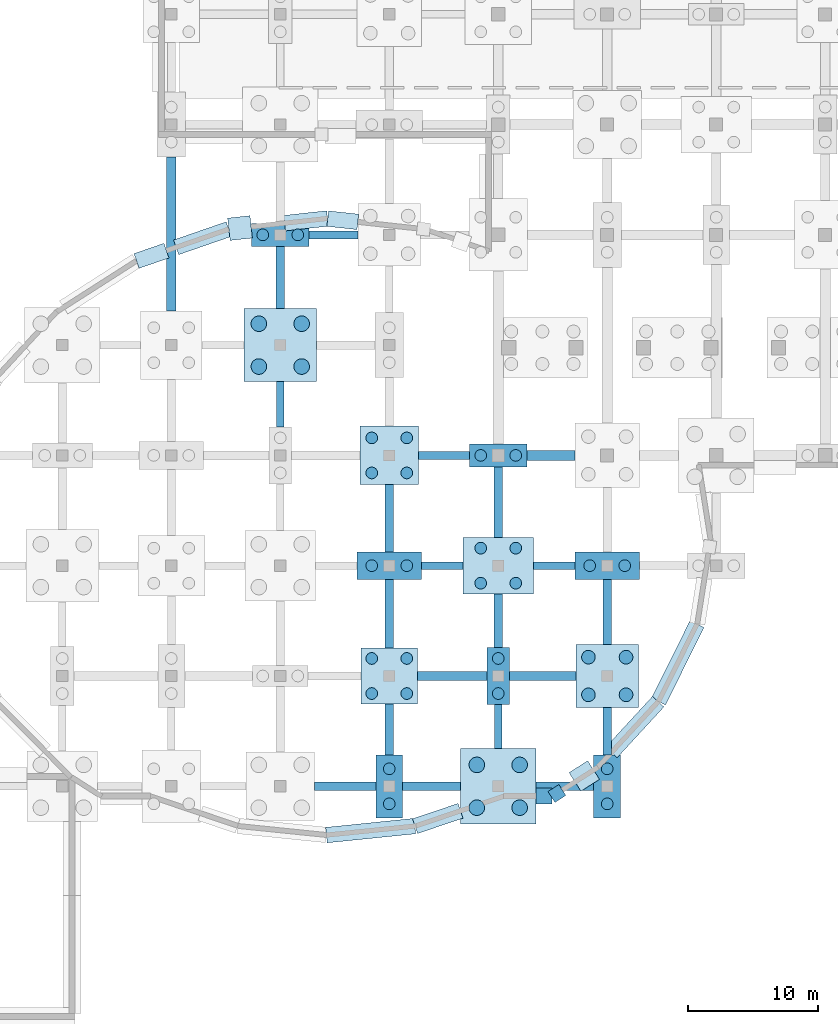
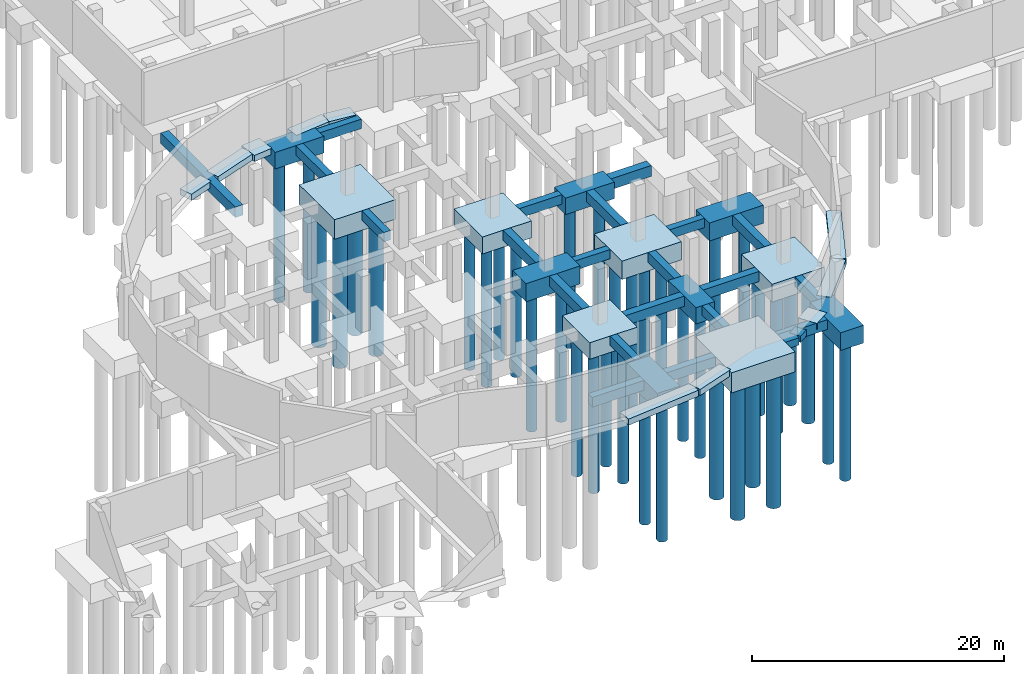
# One storey, part 3 of 34: 46 footings, 38 piles.
"""IFC4 building model written with IfcOpenShell, lengths in metres."""

from ifc_helpers import new_model, si_unit, direction, frame, origin, origin_2d, place, context, subcontext, project, spatial, rectangle, circle, extrude, material, material_profile, profile_set, type_object, element, save


model = new_model("IFC4")

# Units and contexts
model_context = context("Model", 3, precision=1e-05, world=origin(), true_north=direction((0.0, 1.0)))
body_context = subcontext(model_context, "Body", "Model", "MODEL_VIEW")
ifc_project = project(units=[si_unit("LENGTHUNIT", "METRE"), si_unit("AREAUNIT", "SQUARE_METRE"), si_unit("VOLUMEUNIT", "CUBIC_METRE"), si_unit("PLANEANGLEUNIT", "RADIAN"), si_unit("MASSUNIT", "GRAM", prefix="KILO")], contexts=[model_context])

# Site, building, storey
site_placement = place(None, origin())
site = spatial("IfcSite", under=ifc_project, at=site_placement, CompositionType="ELEMENT")
building_placement = place(site_placement, origin())
building = spatial("IfcBuilding", under=site, at=building_placement, Name="Solvento Point Concert Hall", CompositionType="ELEMENT")
storey_placement = place(building_placement, frame((0.0, 0.0, -5.39990234375)))
storey = spatial("IfcBuildingStorey", under=building, at=storey_placement, Name="B01", CompositionType="ELEMENT", Elevation=-5.39990234375)

# Piles
ifc_material_1 = material(Name="Concrete C40/50", Category="concrete")
ifc_material_profile_1 = material_profile(ifc_material_1, circle(Radius=0.52490234375, at=origin_2d()), Name="BP-1050")
ifc_profile_set_1 = profile_set([ifc_material_profile_1], Name="Concrete C40/50")
pile_type_1 = type_object("IfcPileType", Name="BoredPile_1050", PredefinedType="BORED", material=ifc_profile_set_1)
for number, where, z_axis, x_axis, name in (
    (1, (81.35009765625, 24.050048828125, -1.6201171875), (0.0, 0.0, -1.0), (1.0, 0.0, 0.0), "Bored pile BoredPile_1050 #301"),
    (2, (84.25, 24.050048828125, -1.6201171875), (0.0, 0.0, -1.0), (1.0, 0.0, 0.0), "Bored pile BoredPile_1050 #302"),
    (3, (81.35009765625, 26.949951171875, -1.6201171875), (0.0, 0.0, -1.0), (1.0, 0.0, 0.0), "Bored pile BoredPile_1050 #303"),
    (4, (84.25, 26.949951171875, -1.6201171875), (0.0, 0.0, -1.0), (1.0, 0.0, 0.0), "Bored pile BoredPile_1050 #304"),
):
    element("IfcPile", number, at=place(storey_placement, frame(where, z_axis=z_axis, x_axis=x_axis)), inside=storey, type_object=pile_type_1, Name=name, PredefinedType="BORED", context=body_context, shape_type="SweptSolid", body=[
        extrude(circle(Radius=0.52490234375, at=origin_2d()), origin(), (0.0, 0.0, 1.0), 13.47998046875),
    ])
ifc_material_2 = material(Name="Concrete C40/50", Category="concrete")
ifc_material_profile_2 = material_profile(ifc_material_2, circle(Radius=0.60009765625, at=origin_2d()), Name="BP-1200")
ifc_profile_set_2 = profile_set([ifc_material_profile_2], Name="Concrete C40/50")
pile_type_2 = type_object("IfcPileType", Name="BoredPile_1200", PredefinedType="BORED", material=ifc_profile_set_2)
for number, where, z_axis, x_axis, name in (
    (5, (55.949951171875, 49.35009765625, -1.800048828125), (0.0, 0.0, -1.0), (1.0, 0.0, 0.0), "Bored pile BoredPile_1200 #181"),
    (6, (59.25, 49.35009765625, -1.800048828125), (0.0, 0.0, -1.0), (1.0, 0.0, 0.0), "Bored pile BoredPile_1200 #182"),
    (7, (55.949951171875, 52.64990234375, -1.800048828125), (0.0, 0.0, -1.0), (1.0, 0.0, 0.0), "Bored pile BoredPile_1200 #183"),
    (8, (59.25, 52.64990234375, -1.800048828125), (0.0, 0.0, -1.0), (1.0, 0.0, 0.0), "Bored pile BoredPile_1200 #184"),
):
    element("IfcPile", number, at=place(storey_placement, frame(where, z_axis=z_axis, x_axis=x_axis)), inside=storey, type_object=pile_type_2, Name=name, PredefinedType="BORED", context=body_context, shape_type="SweptSolid", body=[
        extrude(circle(Radius=0.60009765625, at=origin_2d()), origin(), (0.0, 0.0, 1.0), 13.300048828125),
    ])
for number, where, z_axis, x_axis, name in (
    (9, (72.75, 15.35009765625, -1.85009765625), (0.0, 0.0, -1.0), (1.0, 0.0, 0.0), "Bored pile BoredPile_1200 #259"),
    (10, (76.050048828125, 15.35009765625, -1.85009765625), (0.0, 0.0, -1.0), (1.0, 0.0, 0.0), "Bored pile BoredPile_1200 #260"),
    (11, (72.75, 18.64990234375, -1.85009765625), (0.0, 0.0, -1.0), (1.0, 0.0, 0.0), "Bored pile BoredPile_1200 #261"),
    (12, (76.050048828125, 18.64990234375, -1.85009765625), (0.0, 0.0, -1.0), (1.0, 0.0, 0.0), "Bored pile BoredPile_1200 #262"),
):
    element("IfcPile", number, at=place(storey_placement, frame(where, z_axis=z_axis, x_axis=x_axis)), inside=storey, type_object=pile_type_2, Name=name, PredefinedType="BORED", context=body_context, shape_type="SweptSolid", body=[
        extrude(circle(Radius=0.60009765625, at=origin_2d()), origin(), (0.0, 0.0, 1.0), 13.25),
    ])
ifc_material_3 = material(Name="Concrete C40/50", Category="concrete")
ifc_material_profile_3 = material_profile(ifc_material_3, circle(Radius=0.449951171875, at=origin_2d()), Name="BP-900")
ifc_profile_set_3 = profile_set([ifc_material_profile_3], Name="Concrete C40/50")
pile_type_3 = type_object("IfcPileType", Name="BoredPile_900", PredefinedType="BORED", material=ifc_profile_set_3)
for number, where, z_axis, x_axis, name in (
    (13, (56.25, 59.5, -1.5), (0.0, 0.0, -1.0), (1.0, 0.0, 0.0), "Bored pile BoredPile_900 #185"),
    (14, (58.949951171875, 59.5, -1.5), (0.0, 0.0, -1.0), (1.0, 0.0, 0.0), "Bored pile BoredPile_900 #186"),
):
    element("IfcPile", number, at=place(storey_placement, frame(where, z_axis=z_axis, x_axis=x_axis)), inside=storey, type_object=pile_type_3, Name=name, PredefinedType="BORED", context=body_context, shape_type="SweptSolid", body=[
        extrude(circle(Radius=0.449951171875, at=origin_2d()), origin(), (0.0, 0.0, 1.0), 13.60009765625),
    ])
for number, where, z_axis, x_axis, name in (
    (15, (66.0, 15.64990234375, -1.6201171875), (0.0, 0.0, -1.0), (1.0, 0.0, 0.0), "Bored pile BoredPile_900 #215"),
    (16, (66.0, 18.35009765625, -1.6201171875), (0.0, 0.0, -1.0), (1.0, 0.0, 0.0), "Bored pile BoredPile_900 #216"),
):
    element("IfcPile", number, at=place(storey_placement, frame(where, z_axis=z_axis, x_axis=x_axis)), inside=storey, type_object=pile_type_3, Name=name, PredefinedType="BORED", context=body_context, shape_type="SweptSolid", body=[
        extrude(circle(Radius=0.449951171875, at=origin_2d()), origin(), (0.0, 0.0, 1.0), 13.47998046875),
    ])
for number, where, z_axis, x_axis, name in (
    (17, (64.64990234375, 24.14990234375, -1.5), (0.0, 0.0, -1.0), (1.0, 0.0, 0.0), "Bored pile BoredPile_900 #217"),
    (18, (67.35009765625, 24.14990234375, -1.5), (0.0, 0.0, -1.0), (1.0, 0.0, 0.0), "Bored pile BoredPile_900 #218"),
    (19, (64.64990234375, 26.85009765625, -1.5), (0.0, 0.0, -1.0), (1.0, 0.0, 0.0), "Bored pile BoredPile_900 #219"),
    (20, (67.35009765625, 26.85009765625, -1.5), (0.0, 0.0, -1.0), (1.0, 0.0, 0.0), "Bored pile BoredPile_900 #220"),
):
    element("IfcPile", number, at=place(storey_placement, frame(where, z_axis=z_axis, x_axis=x_axis)), inside=storey, type_object=pile_type_3, Name=name, PredefinedType="BORED", context=body_context, shape_type="SweptSolid", body=[
        extrude(circle(Radius=0.449951171875, at=origin_2d()), origin(), (0.0, 0.0, 1.0), 13.60009765625),
    ])
for number, where, z_axis, x_axis, name in (
    (21, (64.64990234375, 34.0, -1.650146484375), (0.0, 0.0, -1.0), (1.0, 0.0, 0.0), "Bored pile BoredPile_900 #221"),
    (22, (67.35009765625, 34.0, -1.650146484375), (0.0, 0.0, -1.0), (1.0, 0.0, 0.0), "Bored pile BoredPile_900 #222"),
):
    element("IfcPile", number, at=place(storey_placement, frame(where, z_axis=z_axis, x_axis=x_axis)), inside=storey, type_object=pile_type_3, Name=name, PredefinedType="BORED", context=body_context, shape_type="SweptSolid", body=[
        extrude(circle(Radius=0.449951171875, at=origin_2d()), origin(), (0.0, 0.0, 1.0), 13.449951171875),
    ])
for number, where, z_axis, x_axis, name in (
    (23, (64.64990234375, 41.14990234375, -1.550048828125), (0.0, 0.0, -1.0), (1.0, 0.0, 0.0), "Bored pile BoredPile_900 #223"),
    (24, (67.35009765625, 41.14990234375, -1.550048828125), (0.0, 0.0, -1.0), (1.0, 0.0, 0.0), "Bored pile BoredPile_900 #224"),
    (25, (64.64990234375, 43.85009765625, -1.550048828125), (0.0, 0.0, -1.0), (1.0, 0.0, 0.0), "Bored pile BoredPile_900 #225"),
    (26, (67.35009765625, 43.85009765625, -1.550048828125), (0.0, 0.0, -1.0), (1.0, 0.0, 0.0), "Bored pile BoredPile_900 #226"),
):
    element("IfcPile", number, at=place(storey_placement, frame(where, z_axis=z_axis, x_axis=x_axis)), inside=storey, type_object=pile_type_3, Name=name, PredefinedType="BORED", context=body_context, shape_type="SweptSolid", body=[
        extrude(circle(Radius=0.449951171875, at=origin_2d()), origin(), (0.0, 0.0, 1.0), 13.550048828125),
    ])
for number, where, z_axis, x_axis, name in (
    (27, (74.39990234375, 24.14990234375, -1.47998046875), (0.0, 0.0, -1.0), (1.0, 0.0, 0.0), "Bored pile BoredPile_900 #263"),
    (28, (74.39990234375, 26.85009765625, -1.47998046875), (0.0, 0.0, -1.0), (1.0, 0.0, 0.0), "Bored pile BoredPile_900 #264"),
):
    element("IfcPile", number, at=place(storey_placement, frame(where, z_axis=z_axis, x_axis=x_axis)), inside=storey, type_object=pile_type_3, Name=name, PredefinedType="BORED", context=body_context, shape_type="SweptSolid", body=[
        extrude(circle(Radius=0.449951171875, at=origin_2d()), origin(), (0.0, 0.0, 1.0), 13.6201171875),
    ])
for number, where, z_axis, x_axis, name in (
    (29, (73.050048828125, 32.64990234375, -1.68017578125), (0.0, 0.0, -1.0), (1.0, 0.0, 0.0), "Bored pile BoredPile_900 #265"),
    (30, (75.75, 32.64990234375, -1.68017578125), (0.0, 0.0, -1.0), (1.0, 0.0, 0.0), "Bored pile BoredPile_900 #266"),
    (31, (73.050048828125, 35.35009765625, -1.68017578125), (0.0, 0.0, -1.0), (1.0, 0.0, 0.0), "Bored pile BoredPile_900 #267"),
    (32, (75.75, 35.35009765625, -1.68017578125), (0.0, 0.0, -1.0), (1.0, 0.0, 0.0), "Bored pile BoredPile_900 #268"),
):
    element("IfcPile", number, at=place(storey_placement, frame(where, z_axis=z_axis, x_axis=x_axis)), inside=storey, type_object=pile_type_3, Name=name, PredefinedType="BORED", context=body_context, shape_type="SweptSolid", body=[
        extrude(circle(Radius=0.449951171875, at=origin_2d()), origin(), (0.0, 0.0, 1.0), 13.419921875),
    ])
for number, where, z_axis, x_axis, name in (
    (33, (73.050048828125, 42.5, -1.5), (0.0, 0.0, -1.0), (1.0, 0.0, 0.0), "Bored pile BoredPile_900 #269"),
    (34, (75.75, 42.5, -1.5), (0.0, 0.0, -1.0), (1.0, 0.0, 0.0), "Bored pile BoredPile_900 #270"),
):
    element("IfcPile", number, at=place(storey_placement, frame(where, z_axis=z_axis, x_axis=x_axis)), inside=storey, type_object=pile_type_3, Name=name, PredefinedType="BORED", context=body_context, shape_type="SweptSolid", body=[
        extrude(circle(Radius=0.449951171875, at=origin_2d()), origin(), (0.0, 0.0, 1.0), 13.60009765625),
    ])
for number, where, z_axis, x_axis, name in (
    (35, (82.800048828125, 15.64990234375, -1.6201171875), (0.0, 0.0, -1.0), (1.0, 0.0, 0.0), "Bored pile BoredPile_900 #299"),
    (36, (82.800048828125, 18.35009765625, -1.6201171875), (0.0, 0.0, -1.0), (1.0, 0.0, 0.0), "Bored pile BoredPile_900 #300"),
):
    element("IfcPile", number, at=place(storey_placement, frame(where, z_axis=z_axis, x_axis=x_axis)), inside=storey, type_object=pile_type_3, Name=name, PredefinedType="BORED", context=body_context, shape_type="SweptSolid", body=[
        extrude(circle(Radius=0.449951171875, at=origin_2d()), origin(), (0.0, 0.0, 1.0), 13.47998046875),
    ])
for number, where, z_axis, x_axis, name in (
    (37, (81.449951171875, 34.0, -1.650146484375), (0.0, 0.0, -1.0), (1.0, 0.0, 0.0), "Bored pile BoredPile_900 #305"),
    (38, (84.14990234375, 34.0, -1.650146484375), (0.0, 0.0, -1.0), (1.0, 0.0, 0.0), "Bored pile BoredPile_900 #306"),
):
    element("IfcPile", number, at=place(storey_placement, frame(where, z_axis=z_axis, x_axis=x_axis)), inside=storey, type_object=pile_type_3, Name=name, PredefinedType="BORED", context=body_context, shape_type="SweptSolid", body=[
        extrude(circle(Radius=0.449951171875, at=origin_2d()), origin(), (0.0, 0.0, 1.0), 13.449951171875),
    ])

# Footings
ifc_material_4 = material(Name="Concrete C40/50", Category="concrete")
footing_type_1 = type_object("IfcFootingType", Name="PileCap_2B", PredefinedType="PILE_CAP", material=ifc_material_4)
footing_1_placement = place(storey_placement, frame((74.39990234375, 25.5, -1.580078125), z_axis=(0.0, 0.0, 1.0), x_axis=(1.0, 0.0, 0.0)))
element("IfcFooting", 39, at=footing_1_placement, inside=storey, type_object=footing_type_1, Name="Pile cap PC-2B at G-10-D", PredefinedType="PILE_CAP", context=body_context, shape_type="SweptSolid", body=[
    extrude(rectangle(XDim=1.719970703125, YDim=4.3798828125, at=origin_2d()), origin(), (0.0, 0.0, 1.0), 1.580078125),
])
ifc_material_5 = material(Name="Concrete C40/50", Category="concrete")
footing_type_2 = type_object("IfcFootingType", Name="PileCap_2C", PredefinedType="PILE_CAP", material=ifc_material_5)
for number, where, z_axis, x_axis, name in (
    (40, (57.60009765625, 59.5, -1.60009765625), (0.0, 0.0, 1.0), (1.0, 0.0, 0.0), "Pile cap PC-2C at G-08-H"),
    (41, (74.39990234375, 42.5, -1.60009765625), (0.0, 0.0, 1.0), (1.0, 0.0, 0.0), "Pile cap PC-2C at G-10-F"),
):
    element("IfcFooting", number, at=place(storey_placement, frame(where, z_axis=z_axis, x_axis=x_axis)), inside=storey, type_object=footing_type_2, Name=name, PredefinedType="PILE_CAP", context=body_context, shape_type="SweptSolid", body=[
        extrude(rectangle(XDim=4.4599609375, YDim=1.780029296875, at=origin_2d()), origin(), (0.0, 0.0, 1.0), 1.60009765625),
    ])
ifc_material_6 = material(Name="Concrete C40/50", Category="concrete")
footing_type_3 = type_object("IfcFootingType", Name="PileCap_2H", PredefinedType="PILE_CAP", material=ifc_material_6)
for number, where, z_axis, x_axis, name in (
    (42, (66.0, 17.0, -1.72021484375), (0.0, 0.0, 1.0), (1.0, 0.0, 0.0), "Pile cap PC-2H at G-09-C"),
    (43, (82.800048828125, 17.0, -1.72021484375), (0.0, 0.0, 1.0), (1.0, 0.0, 0.0), "Pile cap PC-2H at G-11-C"),
):
    element("IfcFooting", number, at=place(storey_placement, frame(where, z_axis=z_axis, x_axis=x_axis)), inside=storey, type_object=footing_type_3, Name=name, PredefinedType="PILE_CAP", context=body_context, shape_type="SweptSolid", body=[
        extrude(rectangle(XDim=2.080078125, YDim=4.860107421875, at=origin_2d()), origin(), (0.0, 0.0, 1.0), 1.719970703125),
    ])
ifc_material_7 = material(Name="Concrete C40/50", Category="concrete")
footing_type_4 = type_object("IfcFootingType", Name="PileCap_2J", PredefinedType="PILE_CAP", material=ifc_material_7)
for number, where, z_axis, x_axis, name in (
    (44, (66.0, 34.0, -1.75), (0.0, 0.0, 1.0), (1.0, 0.0, 0.0), "Pile cap PC-2J at G-09-E"),
    (45, (82.800048828125, 34.0, -1.75), (0.0, 0.0, 1.0), (1.0, 0.0, 0.0), "Pile cap PC-2J at G-11-E"),
):
    element("IfcFooting", number, at=place(storey_placement, frame(where, z_axis=z_axis, x_axis=x_axis)), inside=storey, type_object=footing_type_4, Name=name, PredefinedType="PILE_CAP", context=body_context, shape_type="SweptSolid", body=[
        extrude(rectangle(XDim=4.93994140625, YDim=2.139892578125, at=origin_2d()), origin(), (0.0, 0.0, 1.0), 1.75),
    ])
ifc_material_8 = material(Name="Concrete C40/50", Category="concrete")
footing_type_5 = type_object("IfcFootingType", Name="PileCap_4A", PredefinedType="PILE_CAP", material=ifc_material_8)
footing_2_placement = place(storey_placement, frame((66.0, 25.5, -1.60009765625), z_axis=(0.0, 0.0, 1.0), x_axis=(1.0, 0.0, 0.0)))
element("IfcFooting", 46, at=footing_2_placement, inside=storey, type_object=footing_type_5, Name="Pile cap PC-4A at G-09-D", PredefinedType="PILE_CAP", context=body_context, shape_type="SweptSolid", body=[
    extrude(rectangle(XDim=4.35009765625, YDim=4.35009765625, at=origin_2d()), origin(), (0.0, 0.0, 1.0), 1.60009765625),
])
ifc_material_9 = material(Name="Concrete C40/50", Category="concrete")
footing_type_6 = type_object("IfcFootingType", Name="PileCap_4B", PredefinedType="PILE_CAP", material=ifc_material_9)
footing_3_placement = place(storey_placement, frame((66.0, 42.5, -1.650146484375), z_axis=(0.0, 0.0, 1.0), x_axis=(1.0, 0.0, 0.0)))
element("IfcFooting", 47, at=footing_3_placement, inside=storey, type_object=footing_type_6, Name="Pile cap PC-4B at G-09-F", PredefinedType="PILE_CAP", context=body_context, shape_type="SweptSolid", body=[
    extrude(rectangle(XDim=4.5, YDim=4.5, at=origin_2d()), origin(), (0.0, 0.0, 1.0), 1.64990234375),
])
ifc_material_10 = material(Name="Concrete C40/50", Category="concrete")
footing_type_7 = type_object("IfcFootingType", Name="PileCap_4C", PredefinedType="PILE_CAP", material=ifc_material_10)
footing_4_placement = place(storey_placement, frame((82.800048828125, 25.5, -1.72021484375), z_axis=(0.0, 0.0, 1.0), x_axis=(1.0, 0.0, 0.0)))
element("IfcFooting", 48, at=footing_4_placement, inside=storey, type_object=footing_type_7, Name="Pile cap PC-4C at G-11-D", PredefinedType="PILE_CAP", context=body_context, shape_type="SweptSolid", body=[
    extrude(rectangle(XDim=4.820068359375, YDim=4.820068359375, at=origin_2d()), origin(), (0.0, 0.0, 1.0), 1.719970703125),
])
ifc_material_11 = material(Name="Concrete C40/50", Category="concrete")
footing_type_8 = type_object("IfcFootingType", Name="PileCap_4G", PredefinedType="PILE_CAP", material=ifc_material_11)
footing_5_placement = place(storey_placement, frame((57.60009765625, 51.0, -1.900146484375), z_axis=(0.0, 0.0, 1.0), x_axis=(1.0, 0.0, 0.0)))
element("IfcFooting", 49, at=footing_5_placement, inside=storey, type_object=footing_type_8, Name="Pile cap PC-4G at G-08-G", PredefinedType="PILE_CAP", context=body_context, shape_type="SweptSolid", body=[
    extrude(rectangle(XDim=5.6201171875, YDim=5.6201171875, at=origin_2d()), origin(), (0.0, 0.0, 1.0), 1.89990234375),
])
ifc_material_12 = material(Name="Concrete C40/50", Category="concrete")
footing_type_9 = type_object("IfcFootingType", Name="PileCap_4H", PredefinedType="PILE_CAP", material=ifc_material_12)
footing_6_placement = place(storey_placement, frame((74.39990234375, 17.0, -1.9501953125), z_axis=(0.0, 0.0, 1.0), x_axis=(1.0, 0.0, 0.0)))
element("IfcFooting", 50, at=footing_6_placement, inside=storey, type_object=footing_type_9, Name="Pile cap PC-4H at G-10-C", PredefinedType="PILE_CAP", context=body_context, shape_type="SweptSolid", body=[
    extrude(rectangle(XDim=5.800048828125, YDim=5.800048828125, at=origin_2d()), origin(), (0.0, 0.0, 1.0), 1.949951171875),
])
ifc_material_13 = material(Name="Concrete C40/50", Category="concrete")
footing_type_10 = type_object("IfcFootingType", Name="PileCap_4J", PredefinedType="PILE_CAP", material=ifc_material_13)
footing_7_placement = place(storey_placement, frame((74.39990234375, 34.0, -1.7802734375), z_axis=(0.0, 0.0, 1.0), x_axis=(1.0, 0.0, 0.0)))
element("IfcFooting", 51, at=footing_7_placement, inside=storey, type_object=footing_type_10, Name="Pile cap PC-4J at G-10-E", PredefinedType="PILE_CAP", context=body_context, shape_type="SweptSolid", body=[
    extrude(rectangle(XDim=5.4599609375, YDim=4.360107421875, at=origin_2d()), origin(), (0.0, 0.0, 1.0), 1.780029296875),
])
ifc_material_14 = material(Name="Concrete C40/50", Category="concrete")
footing_type_11 = type_object("IfcFootingType", Name="StripFooting_1200x600", PredefinedType="STRIP_FOOTING", material=ifc_material_14)
footing_8_placement = place(storey_placement, frame((47.67626953125, 57.8857421875, -0.60009765625), z_axis=(0.0, 0.0, 1.0), x_axis=(0.94526656994, 0.326299113935, 0.0)))
element("IfcFooting", 52, at=footing_8_placement, inside=storey, type_object=footing_type_11, Name="Strip footing SF-01", PredefinedType="STRIP_FOOTING", context=body_context, shape_type="SweptSolid", body=[
    extrude(rectangle(XDim=2.44140625, YDim=1.199951171875, at=origin_2d()), origin(), (0.0, 0.0, 1.0), 0.60009765625),
])
footing_9_placement = place(storey_placement, frame((51.59619140625, 59.23876953125, -0.60009765625), z_axis=(0.0, 0.0, 1.0), x_axis=(0.94526656994, 0.326299113935, 0.0)))
element("IfcFooting", 53, at=footing_9_placement, inside=storey, type_object=footing_type_11, Name="Strip footing SF-01", PredefinedType="STRIP_FOOTING", context=body_context, shape_type="SweptSolid", body=[
    extrude(rectangle(XDim=4.28662109375, YDim=1.199951171875, at=origin_2d()), origin(), (0.0, 0.0, 1.0), 0.60009765625),
])
footing_10_placement = place(storey_placement, frame((54.497802734375, 60.024169921875, -0.60009765625), z_axis=(0.0, 0.0, 1.0), x_axis=(0.994036180305, 0.109050778282, 0.0)))
element("IfcFooting", 54, at=footing_10_placement, inside=storey, type_object=footing_type_11, Name="Strip footing SF-01", PredefinedType="STRIP_FOOTING", context=body_context, shape_type="SweptSolid", body=[
    extrude(rectangle(XDim=1.734619140625, YDim=1.734619140625, at=origin_2d()), origin(), (0.0, 0.0, 1.0), 0.60009765625),
])
footing_11_placement = place(storey_placement, frame((59.58984375, 60.5830078125, -0.60009765625), z_axis=(0.0, 0.0, 1.0), x_axis=(0.994036180305, 0.109050778282, 0.0)))
element("IfcFooting", 55, at=footing_11_placement, inside=storey, type_object=footing_type_11, Name="Strip footing SF-01", PredefinedType="STRIP_FOOTING", context=body_context, shape_type="SweptSolid", body=[
    extrude(rectangle(XDim=3.32958984375, YDim=1.199951171875, at=origin_2d()), origin(), (0.0, 0.0, 1.0), 0.60009765625),
])
footing_12_placement = place(storey_placement, frame((62.41796875, 60.6259765625, -0.60009765625), z_axis=(0.0, 0.0, 1.0), x_axis=(0.994036180305, -0.109050778282, 0.0)))
element("IfcFooting", 56, at=footing_12_placement, inside=storey, type_object=footing_type_11, Name="Strip footing SF-01", PredefinedType="STRIP_FOOTING", context=body_context, shape_type="SweptSolid", body=[
    extrude(rectangle(XDim=2.337890625, YDim=1.199951171875, at=origin_2d()), origin(), (0.0, 0.0, 1.0), 0.60009765625),
])
footing_13_placement = place(storey_placement, frame((88.235107421875, 26.515869140625, -0.60009765625), z_axis=(0.0, 0.0, 1.0), x_axis=(-0.445116614995, -0.895472612119, 0.0)))
element("IfcFooting", 57, at=footing_13_placement, inside=storey, type_object=footing_type_11, Name="Strip footing SF-01", PredefinedType="STRIP_FOOTING", context=body_context, shape_type="SweptSolid", body=[
    extrude(rectangle(XDim=6.6748046875, YDim=1.199951171875, at=origin_2d()), origin(), (0.0, 0.0, 1.0), 0.60009765625),
])
footing_14_placement = place(storey_placement, frame((84.925537109375, 21.564697265625, -0.60009765625), z_axis=(0.0, 0.0, 1.0), x_axis=(-0.677366586747, -0.735645639666, 0.0)))
element("IfcFooting", 58, at=footing_14_placement, inside=storey, type_object=footing_type_11, Name="Strip footing SF-01", PredefinedType="STRIP_FOOTING", context=body_context, shape_type="SweptSolid", body=[
    extrude(rectangle(XDim=5.330810546875, YDim=1.199951171875, at=origin_2d()), origin(), (0.0, 0.0, 1.0), 0.60009765625),
])
footing_15_placement = place(storey_placement, frame((81.033203125, 17.79345703125, -0.60009765625), z_axis=(0.0, 0.0, 1.0), x_axis=(-0.842494709367, -0.538704617289, 0.0)))
element("IfcFooting", 59, at=footing_15_placement, inside=storey, type_object=footing_type_11, Name="Strip footing SF-01", PredefinedType="STRIP_FOOTING", context=body_context, shape_type="SweptSolid", body=[
    extrude(rectangle(XDim=1.70166015625, YDim=1.70166015625, at=origin_2d()), origin(), (0.0, 0.0, 1.0), 0.60009765625),
])
footing_16_placement = place(storey_placement, frame((78.921142578125, 16.44287109375, -0.60009765625), z_axis=(0.0, 0.0, 1.0), x_axis=(-0.842494709367, -0.538704617289, 0.0)))
element("IfcFooting", 60, at=footing_16_placement, inside=storey, type_object=footing_type_11, Name="Strip footing SF-01", PredefinedType="STRIP_FOOTING", context=body_context, shape_type="SweptSolid", body=[
    extrude(rectangle(XDim=1.0, YDim=1.0, at=origin_2d()), origin(), (0.0, 0.0, 1.0), 0.60009765625),
])
footing_17_placement = place(storey_placement, frame((69.739990234375, 14.516357421875, -0.60009765625), z_axis=(0.0, 0.0, 1.0), x_axis=(-0.94719684711, -0.320652666956, 0.0)))
element("IfcFooting", 61, at=footing_17_placement, inside=storey, type_object=footing_type_11, Name="Strip footing SF-01", PredefinedType="STRIP_FOOTING", context=body_context, shape_type="SweptSolid", body=[
    extrude(rectangle(XDim=3.69482421875, YDim=1.199951171875, at=origin_2d()), origin(), (0.0, 0.0, 1.0), 0.60009765625),
])
footing_18_placement = place(storey_placement, frame((64.56591796875, 13.584716796875, -0.60009765625), z_axis=(0.0, 0.0, 1.0), x_axis=(-0.99483244511, -0.101530321366, 0.0)))
element("IfcFooting", 62, at=footing_18_placement, inside=storey, type_object=footing_type_11, Name="Strip footing SF-01", PredefinedType="STRIP_FOOTING", context=body_context, shape_type="SweptSolid", body=[
    extrude(rectangle(XDim=6.85693359375, YDim=1.199951171875, at=origin_2d()), origin(), (0.0, 0.0, 1.0), 0.60009765625),
])
ifc_material_15 = material(Name="Concrete C40/50", Category="concrete")
footing_type_12 = type_object("IfcFootingType", Name="StripFooting_1400x700", PredefinedType="STRIP_FOOTING", material=ifc_material_15)
footing_19_placement = place(storey_placement, frame((77.92822265625, 16.2451171875, -0.7001953125), z_axis=(0.0, 0.0, 1.0), x_axis=(-1.0, 0.0, 0.0)))
element("IfcFooting", 63, at=footing_19_placement, inside=storey, type_object=footing_type_12, Name="Strip footing SF-02", PredefinedType="STRIP_FOOTING", context=body_context, shape_type="SweptSolid", body=[
    extrude(rectangle(XDim=1.236572265625, YDim=1.236572265625, at=origin_2d()), origin(), (0.0, 0.0, 1.0), 0.699951171875),
])
ifc_material_16 = material(Name="Concrete C40/50", Category="concrete")
footing_type_13 = type_object("IfcFootingType", Name="TieBeam_600x900", PredefinedType="FOOTING_BEAM", material=ifc_material_16)
for number, where, z_axis, x_axis, name in (
    (64, (70.070068359375, 34.0, -0.900146484375), (0.0, 0.0, 1.0), (1.0, 0.0, 0.0), "Seismic tie beam GB-01"),
    (65, (78.72998046875, 34.0, -0.900146484375), (0.0, 0.0, 1.0), (1.0, 0.0, 0.0), "Seismic tie beam GB-01"),
):
    element("IfcFooting", number, at=place(storey_placement, frame(where, z_axis=z_axis, x_axis=x_axis)), inside=storey, type_object=footing_type_13, Name=name, PredefinedType="FOOTING_BEAM", context=body_context, shape_type="SweptSolid", body=[
        extrude(rectangle(XDim=3.199951171875, YDim=0.60009765625, at=origin_2d()), origin(), (0.0, 0.0, 1.0), 0.89990234375),
    ])
footing_20_placement = place(storey_placement, frame((57.60009765625, 46.43994140625, -0.900146484375), z_axis=(0.0, 0.0, 1.0), x_axis=(0.0, 1.0, 0.0)))
element("IfcFooting", 66, at=footing_20_placement, inside=storey, type_object=footing_type_13, Name="Seismic tie beam GB-01", PredefinedType="FOOTING_BEAM", context=body_context, shape_type="SweptSolid", body=[
    extrude(rectangle(XDim=3.5, YDim=0.60009765625, at=origin_2d()), origin(), (0.0, 0.0, 1.0), 0.89990234375),
])
footing_21_placement = place(storey_placement, frame((74.39990234375, 21.60498046875, -0.900146484375), z_axis=(0.0, 0.0, 1.0), x_axis=(0.0, 1.0, 0.0)))
element("IfcFooting", 67, at=footing_21_placement, inside=storey, type_object=footing_type_13, Name="Seismic tie beam GB-01", PredefinedType="FOOTING_BEAM", context=body_context, shape_type="SweptSolid", body=[
    extrude(rectangle(XDim=3.409912109375, YDim=0.60009765625, at=origin_2d()), origin(), (0.0, 0.0, 1.0), 0.89990234375),
])
ifc_material_17 = material(Name="Concrete C40/50", Category="concrete")
footing_type_14 = type_object("IfcFootingType", Name="TieBeam_620x920", PredefinedType="FOOTING_BEAM", material=ifc_material_17)
footing_22_placement = place(storey_placement, frame((70.2099609375, 42.5, -0.920166015625), z_axis=(0.0, 0.0, 1.0), x_axis=(1.0, 0.0, 0.0)))
element("IfcFooting", 68, at=footing_22_placement, inside=storey, type_object=footing_type_14, Name="Seismic tie beam GB-02", PredefinedType="FOOTING_BEAM", context=body_context, shape_type="SweptSolid", body=[
    extrude(rectangle(XDim=3.919921875, YDim=0.6201171875, at=origin_2d()), origin(), (0.0, 0.0, 1.0), 0.919921875),
])
footing_23_placement = place(storey_placement, frame((61.7099609375, 59.5, -0.920166015625), z_axis=(0.0, 0.0, 1.0), x_axis=(1.0, 0.0, 0.0)))
element("IfcFooting", 69, at=footing_23_placement, inside=storey, type_object=footing_type_14, Name="Seismic tie beam GB-02", PredefinedType="FOOTING_BEAM", context=body_context, shape_type="SweptSolid", body=[
    extrude(rectangle(XDim=3.760009765625, YDim=0.6201171875, at=origin_2d()), origin(), (0.0, 0.0, 1.0), 0.919921875),
])
footing_24_placement = place(storey_placement, frame((66.0, 21.37744140625, -0.920166015625), z_axis=(0.0, 0.0, 1.0), x_axis=(0.0, 1.0, 0.0)))
element("IfcFooting", 70, at=footing_24_placement, inside=storey, type_object=footing_type_14, Name="Seismic tie beam GB-02", PredefinedType="FOOTING_BEAM", context=body_context, shape_type="SweptSolid", body=[
    extrude(rectangle(XDim=3.89501953125, YDim=0.6201171875, at=origin_2d()), origin(), (0.0, 0.0, 1.0), 0.919921875),
])
footing_25_placement = place(storey_placement, frame((82.800048828125, 21.260009765625, -0.920166015625), z_axis=(0.0, 0.0, 1.0), x_axis=(0.0, 1.0, 0.0)))
element("IfcFooting", 71, at=footing_25_placement, inside=storey, type_object=footing_type_14, Name="Seismic tie beam GB-02", PredefinedType="FOOTING_BEAM", context=body_context, shape_type="SweptSolid", body=[
    extrude(rectangle(XDim=3.659912109375, YDim=0.6201171875, at=origin_2d()), origin(), (0.0, 0.0, 1.0), 0.919921875),
])
ifc_material_18 = material(Name="Concrete C40/50", Category="concrete")
footing_type_15 = type_object("IfcFootingType", Name="TieBeam_650x950", PredefinedType="FOOTING_BEAM", material=ifc_material_18)
footing_26_placement = place(storey_placement, frame((62.592529296875, 17.0, -0.9501953125), z_axis=(0.0, 0.0, 1.0), x_axis=(1.0, 0.0, 0.0)))
element("IfcFooting", 72, at=footing_26_placement, inside=storey, type_object=footing_type_15, Name="Seismic tie beam GB-03", PredefinedType="FOOTING_BEAM", context=body_context, shape_type="SweptSolid", body=[
    extrude(rectangle(XDim=4.735107421875, YDim=0.64990234375, at=origin_2d()), origin(), (0.0, 0.0, 1.0), 0.949951171875),
])
for number, where, z_axis, x_axis, name in (
    (73, (69.27001953125, 17.0, -0.9501953125), (0.0, 0.0, 1.0), (1.0, 0.0, 0.0), "Seismic tie beam GB-03"),
    (74, (79.530029296875, 17.0, -0.9501953125), (0.0, 0.0, 1.0), (1.0, 0.0, 0.0), "Seismic tie beam GB-03"),
):
    element("IfcFooting", number, at=place(storey_placement, frame(where, z_axis=z_axis, x_axis=x_axis)), inside=storey, type_object=footing_type_15, Name=name, PredefinedType="FOOTING_BEAM", context=body_context, shape_type="SweptSolid", body=[
        extrude(rectangle(XDim=4.4599609375, YDim=0.64990234375, at=origin_2d()), origin(), (0.0, 0.0, 1.0), 0.949951171875),
    ])
footing_27_placement = place(storey_placement, frame((57.60009765625, 56.2099609375, -0.9501953125), z_axis=(0.0, 0.0, 1.0), x_axis=(0.0, 1.0, 0.0)))
element("IfcFooting", 75, at=footing_27_placement, inside=storey, type_object=footing_type_15, Name="Seismic tie beam GB-03", PredefinedType="FOOTING_BEAM", context=body_context, shape_type="SweptSolid", body=[
    extrude(rectangle(XDim=4.800048828125, YDim=0.64990234375, at=origin_2d()), origin(), (0.0, 0.0, 1.0), 0.949951171875),
])
footing_28_placement = place(storey_placement, frame((74.39990234375, 29.7548828125, -0.9501953125), z_axis=(0.0, 0.0, 1.0), x_axis=(0.0, 1.0, 0.0)))
element("IfcFooting", 76, at=footing_28_placement, inside=storey, type_object=footing_type_15, Name="Seismic tie beam GB-03", PredefinedType="FOOTING_BEAM", context=body_context, shape_type="SweptSolid", body=[
    extrude(rectangle(XDim=4.1298828125, YDim=0.64990234375, at=origin_2d()), origin(), (0.0, 0.0, 1.0), 0.949951171875),
])
ifc_material_19 = material(Name="Concrete C40/50", Category="concrete")
footing_type_16 = type_object("IfcFootingType", Name="TieBeam_680x980", PredefinedType="FOOTING_BEAM", material=ifc_material_19)
footing_29_placement = place(storey_placement, frame((70.857421875, 25.5, -0.97998046875), z_axis=(0.0, 0.0, 1.0), x_axis=(1.0, 0.0, 0.0)))
element("IfcFooting", 77, at=footing_29_placement, inside=storey, type_object=footing_type_16, Name="Seismic tie beam GB-04", PredefinedType="FOOTING_BEAM", context=body_context, shape_type="SweptSolid", body=[
    extrude(rectangle(XDim=5.364990234375, YDim=0.679931640625, at=origin_2d()), origin(), (0.0, 0.0, 1.0), 0.97998046875),
])
footing_30_placement = place(storey_placement, frame((77.824951171875, 25.5, -0.97998046875), z_axis=(0.0, 0.0, 1.0), x_axis=(1.0, 0.0, 0.0)))
element("IfcFooting", 78, at=footing_30_placement, inside=storey, type_object=footing_type_16, Name="Seismic tie beam GB-04", PredefinedType="FOOTING_BEAM", context=body_context, shape_type="SweptSolid", body=[
    extrude(rectangle(XDim=5.1298828125, YDim=0.679931640625, at=origin_2d()), origin(), (0.0, 0.0, 1.0), 0.97998046875),
])
footing_31_placement = place(storey_placement, frame((66.0, 30.302490234375, -0.97998046875), z_axis=(0.0, 0.0, 1.0), x_axis=(0.0, 1.0, 0.0)))
element("IfcFooting", 79, at=footing_31_placement, inside=storey, type_object=footing_type_16, Name="Seismic tie beam GB-04", PredefinedType="FOOTING_BEAM", context=body_context, shape_type="SweptSolid", body=[
    extrude(rectangle(XDim=5.2548828125, YDim=0.679931640625, at=origin_2d()), origin(), (0.0, 0.0, 1.0), 0.97998046875),
])
footing_32_placement = place(storey_placement, frame((66.0, 37.659912109375, -0.97998046875), z_axis=(0.0, 0.0, 1.0), x_axis=(0.0, 1.0, 0.0)))
element("IfcFooting", 80, at=footing_32_placement, inside=storey, type_object=footing_type_16, Name="Seismic tie beam GB-04", PredefinedType="FOOTING_BEAM", context=body_context, shape_type="SweptSolid", body=[
    extrude(rectangle(XDim=5.179931640625, YDim=0.679931640625, at=origin_2d()), origin(), (0.0, 0.0, 1.0), 0.97998046875),
])
footing_33_placement = place(storey_placement, frame((74.39990234375, 38.89501953125, -0.97998046875), z_axis=(0.0, 0.0, 1.0), x_axis=(0.0, 1.0, 0.0)))
element("IfcFooting", 81, at=footing_33_placement, inside=storey, type_object=footing_type_16, Name="Seismic tie beam GB-04", PredefinedType="FOOTING_BEAM", context=body_context, shape_type="SweptSolid", body=[
    extrude(rectangle(XDim=5.429931640625, YDim=0.679931640625, at=origin_2d()), origin(), (0.0, 0.0, 1.0), 0.97998046875),
])
footing_34_placement = place(storey_placement, frame((82.800048828125, 30.419921875, -0.97998046875), z_axis=(0.0, 0.0, 1.0), x_axis=(0.0, 1.0, 0.0)))
element("IfcFooting", 82, at=footing_34_placement, inside=storey, type_object=footing_type_16, Name="Seismic tie beam GB-04", PredefinedType="FOOTING_BEAM", context=body_context, shape_type="SweptSolid", body=[
    extrude(rectangle(XDim=5.02001953125, YDim=0.679931640625, at=origin_2d()), origin(), (0.0, 0.0, 1.0), 0.97998046875),
])
ifc_material_20 = material(Name="Concrete C40/50", Category="concrete")
footing_type_17 = type_object("IfcFootingType", Name="TieBeam_720x1020", PredefinedType="FOOTING_BEAM", material=ifc_material_20)
footing_35_placement = place(storey_placement, frame((49.199951171875, 59.570068359375, -1.02001953125), z_axis=(0.0, 0.0, 1.0), x_axis=(0.0, 1.0, 0.0)))
element("IfcFooting", 83, at=footing_35_placement, inside=storey, type_object=footing_type_17, Name="Seismic tie beam GB-06", PredefinedType="FOOTING_BEAM", context=body_context, shape_type="SweptSolid", body=[
    extrude(rectangle(XDim=11.840087890625, YDim=0.719970703125, at=origin_2d()), origin(), (0.0, 0.0, 1.0), 1.02001953125),
])
ifc_material_21 = material(Name="Concrete C40/50", Category="concrete")
footing_type_18 = type_object("IfcFootingType", Name="TieBeam_750x1050", PredefinedType="FOOTING_BEAM", material=ifc_material_21)
footing_36_placement = place(storey_placement, frame((78.469970703125, 42.5, -1.05029296875), z_axis=(0.0, 0.0, 1.0), x_axis=(1.0, 0.0, 0.0)))
element("IfcFooting", 84, at=footing_36_placement, inside=storey, type_object=footing_type_18, Name="Seismic tie beam GB-07", PredefinedType="FOOTING_BEAM", context=body_context, shape_type="SweptSolid", body=[
    extrude(rectangle(XDim=3.679931640625, YDim=0.75, at=origin_2d()), origin(), (0.0, 0.0, 1.0), 1.050048828125),
])

save(model, "model.ifc")
